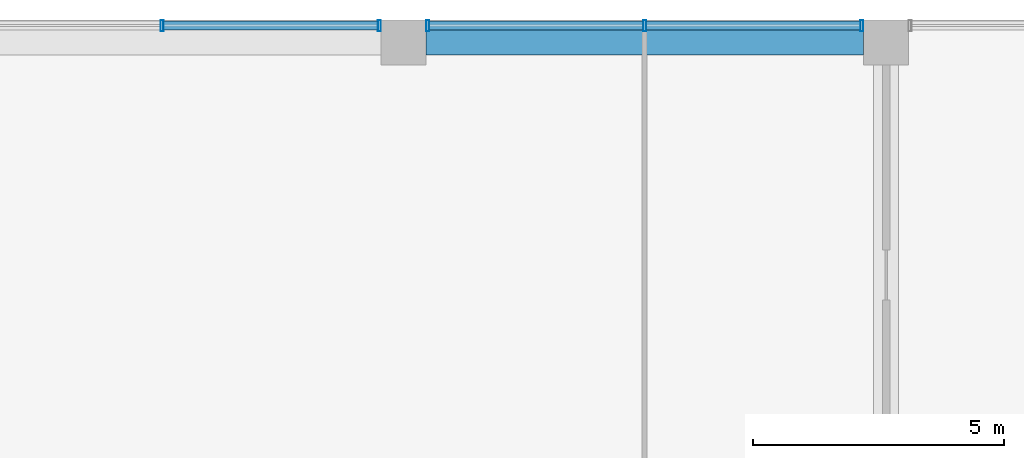
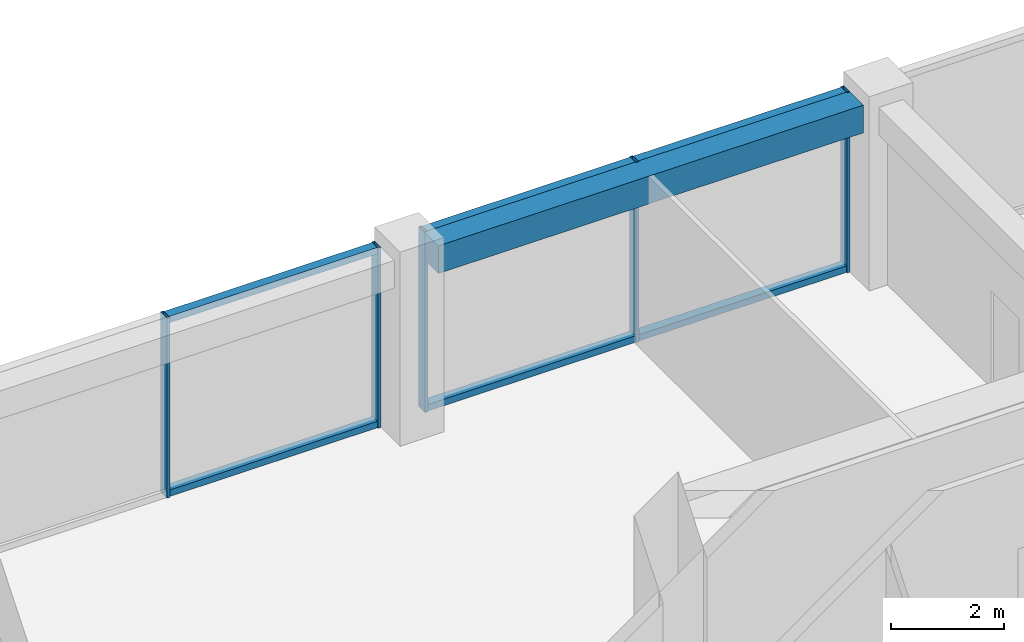
# One storey, part 25 of 38: 11 members, 1 beam, 2 elements without a shape of their own.
"""IFC4 building model written with IfcOpenShell, lengths in metres."""

from ifc_helpers import new_model, si_unit, direction, frame, origin, origin_2d, place, context, subcontext, project, spatial, rectangle, hollow_rectangle, extrude, material, layer, layer_set, material_profile, profile_set, type_object, element, aggregate, save


model = new_model("IFC4")

# Units and contexts
model_context = context("Model", 3, precision=1e-05, world=origin(), true_north=direction((0.0, 1.0)))
body_context = subcontext(model_context, "Body", "Model", "MODEL_VIEW")
ifc_project = project(units=[si_unit("LENGTHUNIT", "METRE"), si_unit("AREAUNIT", "SQUARE_METRE"), si_unit("VOLUMEUNIT", "CUBIC_METRE"), si_unit("PLANEANGLEUNIT", "RADIAN"), si_unit("MASSUNIT", "GRAM", prefix="KILO")], contexts=[model_context])

# Site, building, storey
site_placement = place(None, origin())
site = spatial("IfcSite", under=ifc_project, at=site_placement, CompositionType="ELEMENT")
building_placement = place(site_placement, origin())
building = spatial("IfcBuilding", under=site, at=building_placement, Name="Nzadi Deep Aquarium and Research Tower", CompositionType="ELEMENT")
storey_placement = place(building_placement, frame((0.0, 0.0, 65.5)))
storey = spatial("IfcBuildingStorey", under=building, at=storey_placement, Name="L13", CompositionType="ELEMENT", Elevation=65.5)

# Curtain wall, members
ifc_material_1 = material(Name="Aluminium unitised frame deep", Category="aluminium")
ifc_layer = layer(ifc_material_1, 0.22509765625)
ifc_layer_set = layer_set([ifc_layer], Name="Aluminium unitised frame deep")
curtain_wall_type = type_object("IfcCurtainWallType", Name="Curtain wall Unitised Deep 225", PredefinedType="NOTDEFINED", material=ifc_layer_set)
curtain_wall_1_placement = place(storey_placement, origin())
curtain_wall_1 = element("IfcCurtainWall", 1, at=curtain_wall_1_placement, inside=storey, type_object=curtain_wall_type, Name="Unitised curtain wall blade B north L13", PredefinedType="NOTDEFINED")
ifc_material_2 = material(Name="Aluminium unitised frame deep", Category="aluminium")
ifc_material_profile_1 = material_profile(ifc_material_2, hollow_rectangle(XDim=0.22509765625, YDim=0.06005859375, WallThickness=0.0048828125, at=origin_2d()))
ifc_profile_set_1 = profile_set([ifc_material_profile_1], Name="Aluminium unitised frame deep")
member_type_1 = type_object("IfcMemberType", Name="Mullion 60x225 Unitised Deep", PredefinedType="MULLION", material=ifc_profile_set_1)
member_1_placement = place(storey_placement, frame((33.60009765625, 46.33740234375, 0.0), z_axis=(0.0, 0.0, 1.0), x_axis=(0.0, 1.0, 0.0)))
member_1 = element("IfcMember", 2, at=member_1_placement, type_object=member_type_1, Name="CW173 mullion 2", PredefinedType="MULLION", context=body_context, shape_type="SweptSolid", body=[
    extrude(hollow_rectangle(XDim=0.22509765625, YDim=0.06005859375, WallThickness=0.0048828125, at=origin_2d()), origin(), (0.0, 0.0, 1.0), 3.89990234375),
])
member_2_placement = place(storey_placement, frame((37.919921875, 46.33740234375, 0.0), z_axis=(0.0, 0.0, 1.0), x_axis=(0.0, 1.0, 0.0)))
member_2 = element("IfcMember", 3, at=member_2_placement, type_object=member_type_1, Name="CW173 mullion 3", PredefinedType="MULLION", context=body_context, shape_type="SweptSolid", body=[
    extrude(hollow_rectangle(XDim=0.22509765625, YDim=0.06005859375, WallThickness=0.0048828125, at=origin_2d()), origin(), (0.0, 0.0, 1.0), 3.89990234375),
])

curtain_wall_2_placement = place(storey_placement, origin())
curtain_wall_2 = element("IfcCurtainWall", 4, at=curtain_wall_2_placement, inside=storey, type_object=curtain_wall_type, Name="Unitised curtain wall blade B north L13", PredefinedType="NOTDEFINED")
member_3_placement = place(storey_placement, frame((38.8798828125, 46.33740234375, 0.0), z_axis=(0.0, 0.0, 1.0), x_axis=(0.0, 1.0, 0.0)))
member_3 = element("IfcMember", 5, at=member_3_placement, type_object=member_type_1, Name="CW174 mullion 1", PredefinedType="MULLION", context=body_context, shape_type="SweptSolid", body=[
    extrude(hollow_rectangle(XDim=0.22509765625, YDim=0.06005859375, WallThickness=0.0048828125, at=origin_2d()), origin(), (0.0, 0.0, 1.0), 3.89990234375),
])
member_4_placement = place(storey_placement, frame((43.199951171875, 46.33740234375, 0.0), z_axis=(0.0, 0.0, 1.0), x_axis=(0.0, 1.0, 0.0)))
member_4 = element("IfcMember", 6, at=member_4_placement, type_object=member_type_1, Name="CW174 mullion 2", PredefinedType="MULLION", context=body_context, shape_type="SweptSolid", body=[
    extrude(hollow_rectangle(XDim=0.22509765625, YDim=0.06005859375, WallThickness=0.0048828125, at=origin_2d()), origin(), (0.0, 0.0, 1.0), 3.89990234375),
])
member_5_placement = place(storey_placement, frame((47.52001953125, 46.33740234375, 0.0), z_axis=(0.0, 0.0, 1.0), x_axis=(0.0, 1.0, 0.0)))
member_5 = element("IfcMember", 7, at=member_5_placement, type_object=member_type_1, Name="CW174 mullion 3", PredefinedType="MULLION", context=body_context, shape_type="SweptSolid", body=[
    extrude(hollow_rectangle(XDim=0.22509765625, YDim=0.06005859375, WallThickness=0.0048828125, at=origin_2d()), origin(), (0.0, 0.0, 1.0), 3.89990234375),
])

# Beam
ifc_material_3 = material(Name="Concrete C35/45", Category="concrete")
ifc_material_profile_2 = material_profile(ifc_material_3, rectangle(XDim=0.5, YDim=0.60009765625, at=origin_2d()))
ifc_profile_set_2 = profile_set([ifc_material_profile_2], Name="Concrete C35/45")
beam_type = type_object("IfcBeamType", Name="RC 500x600", PredefinedType="BEAM", material=ifc_profile_set_2)
beam_placement = place(storey_placement, frame((38.85009765625, 46.0, 3.60009765625), z_axis=(1.0, 0.0, 0.0), x_axis=(0.0, 1.0, 0.0)))
element("IfcBeam", 8, at=beam_placement, inside=storey, type_object=beam_type, Name="B-Z1-L13-L6-5", PredefinedType="BEAM", context=body_context, shape_type="SweptSolid", body=[
    extrude(rectangle(XDim=0.5, YDim=0.60009765625, at=origin_2d()), origin(), (0.0, 0.0, 1.0), 8.699951171875),
])

# Member
ifc_material_4 = material(Name="Aluminium unitised frame deep", Category="aluminium")
ifc_material_profile_3 = material_profile(ifc_material_4, hollow_rectangle(XDim=0.179931640625, YDim=0.139892578125, WallThickness=0.0048828125, at=origin_2d()))
ifc_profile_set_3 = profile_set([ifc_material_profile_3], Name="Aluminium unitised frame deep")
member_type_2 = type_object("IfcMemberType", Name="Transom 140x180 Unitised Deep", PredefinedType="MULLION", material=ifc_profile_set_3)
member_6_placement = place(storey_placement, frame((33.6298828125, 46.33740234375, 0.070068359375), z_axis=(1.0, 0.0, 0.0), x_axis=(0.0, 1.0, 0.0)))
member_6 = element("IfcMember", 9, at=member_6_placement, type_object=member_type_2, Name="CW173 transom 2.1", PredefinedType="MULLION", context=body_context, shape_type="SweptSolid", body=[
    extrude(hollow_rectangle(XDim=0.179931640625, YDim=0.139892578125, WallThickness=0.0048828125, at=origin_2d()), origin(), (0.0, 0.0, 1.0), 4.260009765625),
])

member_7_placement = place(storey_placement, frame((33.6298828125, 46.33740234375, 3.830078125), z_axis=(1.0, 0.0, 0.0), x_axis=(0.0, 1.0, 0.0)))
member_7 = element("IfcMember", 10, at=member_7_placement, type_object=member_type_2, Name="CW173 transom 2.2", PredefinedType="MULLION", context=body_context, shape_type="SweptSolid", body=[
    extrude(hollow_rectangle(XDim=0.179931640625, YDim=0.139892578125, WallThickness=0.0048828125, at=origin_2d()), origin(), (0.0, 0.0, 1.0), 4.260009765625),
])

aggregate(curtain_wall_1, [member_1, member_2, member_6, member_7])

member_8_placement = place(storey_placement, frame((38.909912109375, 46.33740234375, 0.070068359375), z_axis=(1.0, 0.0, 0.0), x_axis=(0.0, 1.0, 0.0)))
member_8 = element("IfcMember", 11, at=member_8_placement, type_object=member_type_2, Name="CW174 transom 1.1", PredefinedType="MULLION", context=body_context, shape_type="SweptSolid", body=[
    extrude(hollow_rectangle(XDim=0.179931640625, YDim=0.139892578125, WallThickness=0.0048828125, at=origin_2d()), origin(), (0.0, 0.0, 1.0), 4.260009765625),
])

member_9_placement = place(storey_placement, frame((38.909912109375, 46.33740234375, 3.830078125), z_axis=(1.0, 0.0, 0.0), x_axis=(0.0, 1.0, 0.0)))
member_9 = element("IfcMember", 12, at=member_9_placement, type_object=member_type_2, Name="CW174 transom 1.2", PredefinedType="MULLION", context=body_context, shape_type="SweptSolid", body=[
    extrude(hollow_rectangle(XDim=0.179931640625, YDim=0.139892578125, WallThickness=0.0048828125, at=origin_2d()), origin(), (0.0, 0.0, 1.0), 4.260009765625),
])

member_10_placement = place(storey_placement, frame((43.22998046875, 46.33740234375, 0.070068359375), z_axis=(1.0, 0.0, 0.0), x_axis=(0.0, 1.0, 0.0)))
member_10 = element("IfcMember", 13, at=member_10_placement, type_object=member_type_2, Name="CW174 transom 2.1", PredefinedType="MULLION", context=body_context, shape_type="SweptSolid", body=[
    extrude(hollow_rectangle(XDim=0.179931640625, YDim=0.139892578125, WallThickness=0.0048828125, at=origin_2d()), origin(), (0.0, 0.0, 1.0), 4.260009765625),
])

member_11_placement = place(storey_placement, frame((43.22998046875, 46.33740234375, 3.830078125), z_axis=(1.0, 0.0, 0.0), x_axis=(0.0, 1.0, 0.0)))
member_11 = element("IfcMember", 14, at=member_11_placement, type_object=member_type_2, Name="CW174 transom 2.2", PredefinedType="MULLION", context=body_context, shape_type="SweptSolid", body=[
    extrude(hollow_rectangle(XDim=0.179931640625, YDim=0.139892578125, WallThickness=0.0048828125, at=origin_2d()), origin(), (0.0, 0.0, 1.0), 4.260009765625),
])

aggregate(curtain_wall_2, [member_3, member_4, member_5, member_8, member_9, member_10, member_11])

save(model, "model.ifc")
